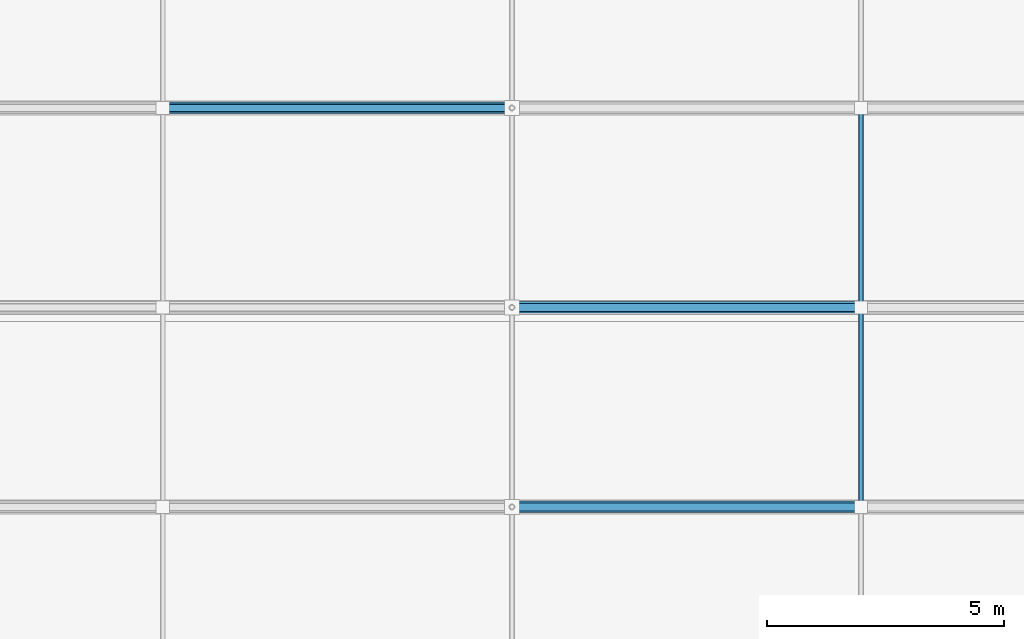
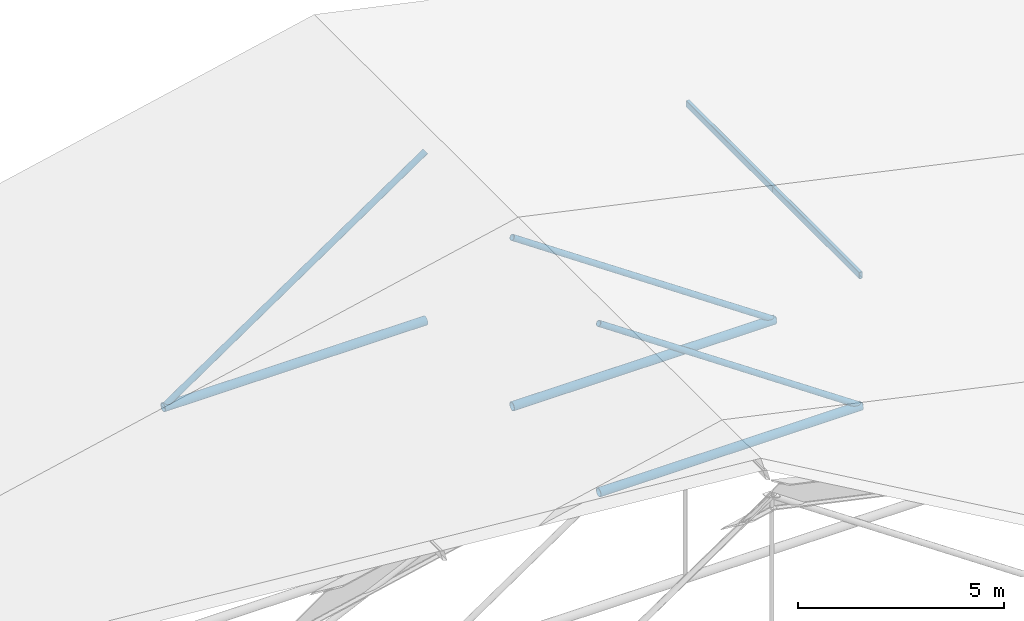
# One storey, part 20 of 60: 8 members.
"""IFC4 building model written with IfcOpenShell, lengths in metres."""

from ifc_helpers import new_model, si_unit, direction, frame, origin, origin_2d, place, context, subcontext, project, spatial, hollow_rectangle, hollow_circle, extrude, material, material_profile, profile_set, type_object, element, save


model = new_model("IFC4")

# Units and contexts
model_context = context("Model", 3, precision=1e-05, world=origin(), true_north=direction((0.0, 1.0)))
body_context = subcontext(model_context, "Body", "Model", "MODEL_VIEW")
ifc_project = project(units=[si_unit("LENGTHUNIT", "METRE"), si_unit("AREAUNIT", "SQUARE_METRE"), si_unit("VOLUMEUNIT", "CUBIC_METRE"), si_unit("PLANEANGLEUNIT", "RADIAN"), si_unit("MASSUNIT", "GRAM", prefix="KILO")], contexts=[model_context])

# Site, building, storey
site_placement = place(None, origin())
site = spatial("IfcSite", under=ifc_project, at=site_placement, CompositionType="ELEMENT")
building_placement = place(site_placement, origin())
building = spatial("IfcBuilding", under=site, at=building_placement, Name="Nakhvara Creek Congress Hotel", CompositionType="ELEMENT")
storey_placement = place(building_placement, frame((0.0, 0.0, 54.60009765625)))
storey = spatial("IfcBuildingStorey", under=building, at=storey_placement, Name="RL1", CompositionType="ELEMENT", Elevation=54.60009765625)

# Members
ifc_material = material(Name="Steel S355J2H", Category="steel")
ifc_material_profile_1 = material_profile(ifc_material, hollow_circle(Radius=0.084228515625, WallThickness=0.008056640625, at=origin_2d()), Name="CHS 168.3x8.0", Category="LoadBearing")
ifc_profile_set_1 = profile_set([ifc_material_profile_1], Name="Steel S355J2H")
member_type_1 = type_object("IfcMemberType", Name="MEM-BRC-CHS168", PredefinedType="BRACE", material=ifc_profile_set_1)
for number, where, z_axis, x_axis, name in (
    (1, (33.75, 112.199951171875, -41.89013671875), (-0.826301661582, 0.0, 0.563227808321), (0.0, -1.0, 0.0), "Ballroom Roof Truss Web Brace 06.4"),
    (2, (33.75, 116.39990234375, -41.89013671875), (-0.826301661582, 0.0, 0.563227808321), (0.0, -1.0, 0.0), "Ballroom Roof Truss Web Brace 07.4"),
):
    element("IfcMember", number, at=place(storey_placement, frame(where, z_axis=z_axis, x_axis=x_axis)), inside=storey, type_object=member_type_1, Name=name, PredefinedType="BRACE", context=body_context, shape_type="SweptSolid", body=[
        extrude(hollow_circle(Radius=0.084228515625, WallThickness=0.008056640625, at=origin_2d()), origin(), (0.0, 0.0, 1.0), 8.895263671875),
    ])
member_1_placement = place(storey_placement, frame((19.050048828125, 120.60009765625, -41.89013671875), z_axis=(0.826292954583, 0.0, 0.563240581996), x_axis=(0.0, 1.0, 0.0)))
element("IfcMember", 3, at=member_1_placement, inside=storey, type_object=member_type_1, Name="Ballroom Roof Truss Web Brace 08.3", PredefinedType="BRACE", context=body_context, shape_type="SweptSolid", body=[
    extrude(hollow_circle(Radius=0.084228515625, WallThickness=0.008056640625, at=origin_2d()), origin(), (0.0, 0.0, 1.0), 8.89501953125),
])
ifc_material_profile_2 = material_profile(ifc_material, hollow_circle(Radius=0.122314453125, WallThickness=0.012451171875, at=origin_2d()), Name="CHS 244.5x12.5", Category="LoadBearing")
ifc_profile_set_2 = profile_set([ifc_material_profile_2], Name="Steel S355J2H")
member_type_2 = type_object("IfcMemberType", Name="MEM-CHD-CHS244", PredefinedType="CHORD", material=ifc_profile_set_2)
for number, where, z_axis, x_axis, name in (
    (4, (26.39990234375, 112.199951171875, -41.89013671875), (1.0, 0.0, 0.0), (0.0, 1.0, 0.0), "Ballroom Roof Truss Bottom Chord 06.4"),
    (5, (26.39990234375, 116.39990234375, -41.89013671875), (1.0, 0.0, 0.0), (0.0, 1.0, 0.0), "Ballroom Roof Truss Bottom Chord 07.4"),
):
    element("IfcMember", number, at=place(storey_placement, frame(where, z_axis=z_axis, x_axis=x_axis)), inside=storey, type_object=member_type_2, Name=name, PredefinedType="CHORD", context=body_context, shape_type="SweptSolid", body=[
        extrude(hollow_circle(Radius=0.122314453125, WallThickness=0.012451171875, at=origin_2d()), origin(), (0.0, 0.0, 1.0), 7.35009765625),
    ])
member_2_placement = place(storey_placement, frame((19.050048828125, 120.60009765625, -41.89013671875), z_axis=(1.0, 0.0, 0.0), x_axis=(0.0, 1.0, 0.0)))
element("IfcMember", 6, at=member_2_placement, inside=storey, type_object=member_type_2, Name="Ballroom Roof Truss Bottom Chord 08.3", PredefinedType="CHORD", context=body_context, shape_type="SweptSolid", body=[
    extrude(hollow_circle(Radius=0.122314453125, WallThickness=0.012451171875, at=origin_2d()), origin(), (0.0, 0.0, 1.0), 7.349853515625),
])
ifc_material_profile_3 = material_profile(ifc_material, hollow_rectangle(XDim=0.10009765625, YDim=0.199951171875, WallThickness=0.008056640625, InnerFilletRadius=0.008056640625, OuterFilletRadius=0.01611328125, at=origin_2d()), Name="RHS 200x100x8.0", Category="LoadBearing")
ifc_profile_set_3 = profile_set([ifc_material_profile_3], Name="Steel S355J2H")
member_type_3 = type_object("IfcMemberType", Name="MEM-PUR-RHS200", PredefinedType="PURLIN", material=ifc_profile_set_3)
member_3_placement = place(storey_placement, frame((33.75, 112.199951171875, -38.033935546875), z_axis=(0.0, 1.0, 0.0), x_axis=(-1.0, 0.0, 0.0)))
element("IfcMember", 7, at=member_3_placement, inside=storey, type_object=member_type_3, Name="Ballroom Roof Purlin 5.6", PredefinedType="PURLIN", context=body_context, shape_type="SweptSolid", body=[
    extrude(hollow_rectangle(XDim=0.10009765625, YDim=0.199951171875, WallThickness=0.008056640625, InnerFilletRadius=0.008056640625, OuterFilletRadius=0.01611328125, at=origin_2d()), origin(), (0.0, 0.0, 1.0), 4.199951171875),
])
member_4_placement = place(storey_placement, frame((33.75, 116.39990234375, -38.033935546875), z_axis=(0.0, 1.0, 0.0), x_axis=(-1.0, 0.0, 0.0)))
element("IfcMember", 8, at=member_4_placement, inside=storey, type_object=member_type_3, Name="Ballroom Roof Purlin 5.7", PredefinedType="PURLIN", context=body_context, shape_type="SweptSolid", body=[
    extrude(hollow_rectangle(XDim=0.10009765625, YDim=0.199951171875, WallThickness=0.008056640625, InnerFilletRadius=0.008056640625, OuterFilletRadius=0.01611328125, at=origin_2d()), origin(), (0.0, 0.0, 1.0), 4.2001953125),
])

save(model, "model.ifc")
